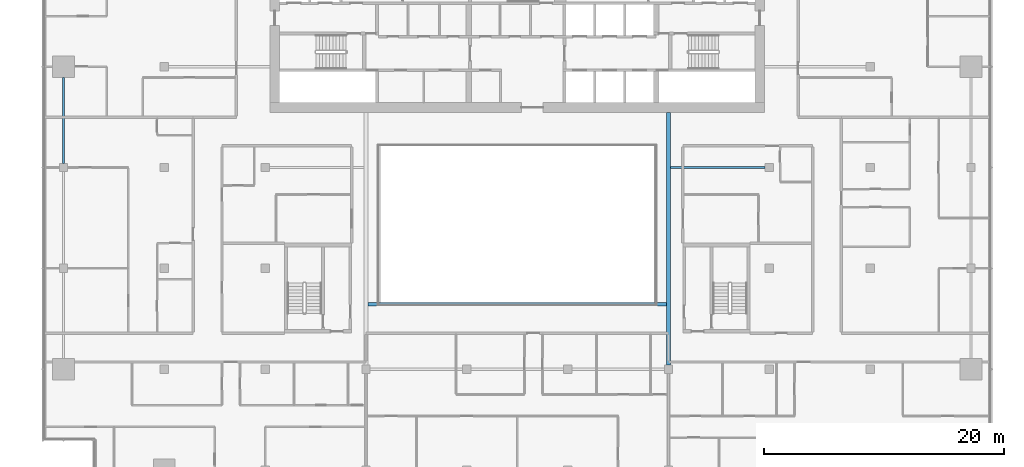
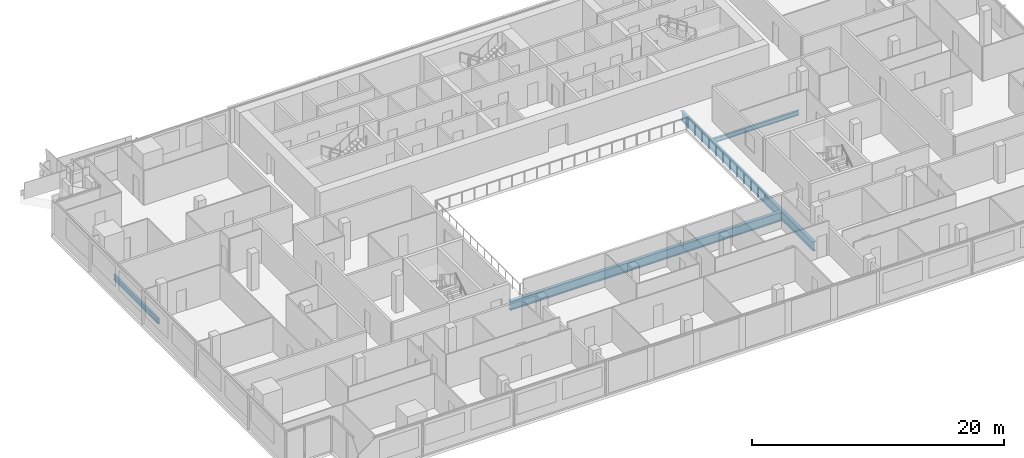
# One storey, part 9 of 30: 4 beams.
"""IFC4 building model written with IfcOpenShell, lengths in metres."""

from ifc_helpers import new_model, si_unit, direction, frame, origin, origin_2d, place, context, subcontext, project, spatial, i_section, extrude, material, material_profile, profile_set, type_object, element, save


model = new_model("IFC4")

# Units and contexts
model_context = context("Model", 3, precision=1e-05, world=origin(), true_north=direction((0.0, 1.0)))
body_context = subcontext(model_context, "Body", "Model", "MODEL_VIEW")
ifc_project = project(units=[si_unit("LENGTHUNIT", "METRE"), si_unit("AREAUNIT", "SQUARE_METRE"), si_unit("VOLUMEUNIT", "CUBIC_METRE"), si_unit("PLANEANGLEUNIT", "RADIAN"), si_unit("MASSUNIT", "GRAM", prefix="KILO")], contexts=[model_context])

# Site, building, storey
site_placement = place(None, origin())
site = spatial("IfcSite", under=ifc_project, at=site_placement, CompositionType="ELEMENT")
building_placement = place(site_placement, origin())
building = spatial("IfcBuilding", under=site, at=building_placement, Name="Saffron Gate Tower", CompositionType="ELEMENT")
storey_placement = place(building_placement, frame((0.0, 0.0, 179.85009765625)))
storey = spatial("IfcBuildingStorey", under=building, at=storey_placement, Name="L44", CompositionType="ELEMENT", Elevation=179.85009765625)

# Beams
ifc_material = material(Name="Structural steel S355", Category="steel")
ifc_material_profile_1 = material_profile(ifc_material, i_section(OverallWidth=0.199951171875, OverallDepth=0.5, WebThickness=0.01025390625, FlangeThickness=0.01611328125, FilletRadius=0.02099609375, at=origin_2d()))
ifc_profile_set_1 = profile_set([ifc_material_profile_1], Name="Structural steel S355")
beam_type_1 = type_object("IfcBeamType", Name="B11 IPE 500", PredefinedType="SPANDREL", material=ifc_profile_set_1)
beam_1_placement = place(storey_placement, frame((49.800048828125, 57.35009765625, -0.530029296875), z_axis=(0.0, 1.0, 0.0), x_axis=(-1.0, 0.0, 0.0)))
element("IfcBeam", 1, at=beam_1_placement, inside=storey, type_object=beam_type_1, Name="B11 SPANDREL BEAM", PredefinedType="SPANDREL", context=body_context, shape_type="SweptSolid", body=[
    extrude(i_section(OverallWidth=0.199951171875, OverallDepth=0.5, WebThickness=0.01025390625, FlangeThickness=0.01611328125, FilletRadius=0.02099609375, at=origin_2d()), origin(), (0.0, 0.0, 1.0), 7.14990234375),
])
ifc_material_profile_2 = material_profile(ifc_material, i_section(OverallWidth=0.300048828125, OverallDepth=0.889892578125, WebThickness=0.01611328125, FlangeThickness=0.030029296875, FilletRadius=0.030029296875, at=origin_2d()))
ifc_profile_set_2 = profile_set([ifc_material_profile_2], Name="Structural steel S355")
beam_type_2 = type_object("IfcBeamType", Name="B19 HEA 900", PredefinedType="BEAM", material=ifc_profile_set_2)
beam_2_placement = place(storey_placement, frame((100.199951171875, 40.550048828125, -0.72509765625), z_axis=(0.0, 1.0, 0.0), x_axis=(-1.0, 0.0, 0.0)))
element("IfcBeam", 2, at=beam_2_placement, inside=storey, type_object=beam_type_2, Name="B19 ATRIUM GIRDER", PredefinedType="BEAM", context=body_context, shape_type="SweptSolid", body=[
    extrude(i_section(OverallWidth=0.300048828125, OverallDepth=0.889892578125, WebThickness=0.01611328125, FlangeThickness=0.030029296875, FilletRadius=0.030029296875, at=origin_2d()), origin(), (0.0, 0.0, 1.0), 21.050048828125),
])
beam_3_placement = place(storey_placement, frame((75.14990234375, 45.60009765625, -0.72509765625), z_axis=(1.0, 0.0, 0.0), x_axis=(0.0, 1.0, 0.0)))
element("IfcBeam", 3, at=beam_3_placement, inside=storey, type_object=beam_type_2, Name="B19 ATRIUM GIRDER", PredefinedType="BEAM", context=body_context, shape_type="SweptSolid", body=[
    extrude(i_section(OverallWidth=0.300048828125, OverallDepth=0.889892578125, WebThickness=0.01611328125, FlangeThickness=0.030029296875, FilletRadius=0.030029296875, at=origin_2d()), origin(), (0.0, 0.0, 1.0), 24.900146484375),
])
ifc_material_profile_3 = material_profile(ifc_material, i_section(OverallWidth=0.18994140625, OverallDepth=0.449951171875, WebThickness=0.009521484375, FlangeThickness=0.0146484375, FilletRadius=0.02099609375, at=origin_2d()))
ifc_profile_set_3 = profile_set([ifc_material_profile_3], Name="Structural steel S355")
beam_type_3 = type_object("IfcBeamType", Name="B6 IPE 450", PredefinedType="BEAM", material=ifc_profile_set_3)
beam_4_placement = place(storey_placement, frame((108.25, 57.0, -0.505126953125), z_axis=(-1.0, 0.0, 0.0), x_axis=(0.0, -1.0, 0.0)))
element("IfcBeam", 4, at=beam_4_placement, inside=storey, type_object=beam_type_3, Name="B6 CORE TIE BEAM", PredefinedType="BEAM", context=body_context, shape_type="SweptSolid", body=[
    extrude(i_section(OverallWidth=0.18994140625, OverallDepth=0.449951171875, WebThickness=0.009521484375, FlangeThickness=0.0146484375, FilletRadius=0.02099609375, at=origin_2d()), origin(), (0.0, 0.0, 1.0), 7.89990234375),
])

save(model, "model.ifc")
